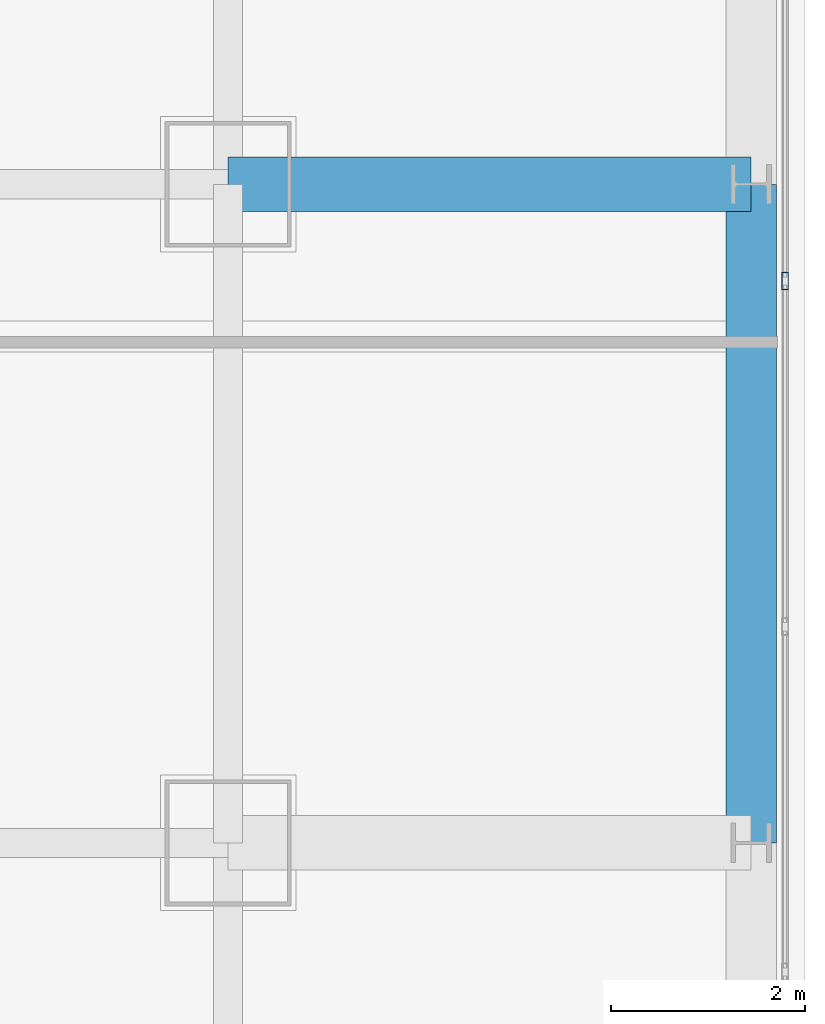
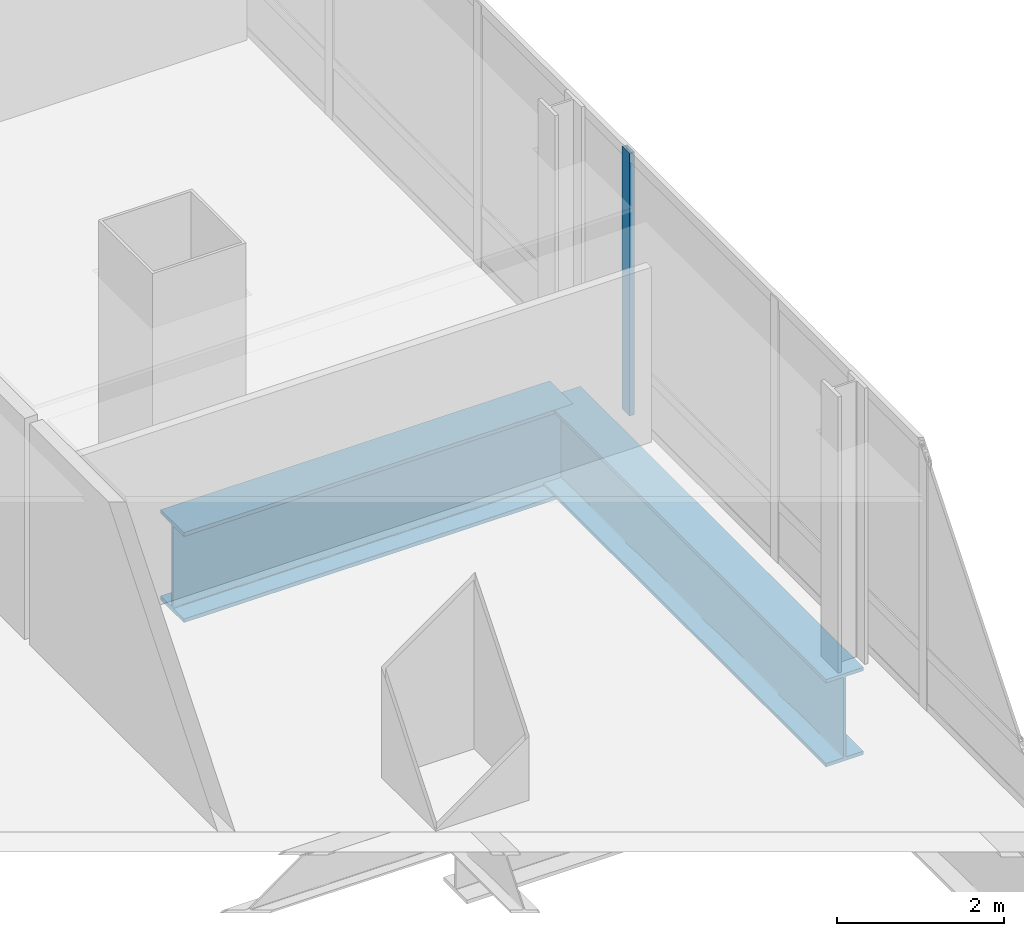
# One storey, part 19 of 40: 2 beams, 1 member, 1 element without a shape of its own.
"""IFC4 building model written with IfcOpenShell, lengths in metres."""

from ifc_helpers import new_model, si_unit, direction, frame, origin, origin_2d, place, context, subcontext, project, spatial, hollow_rectangle, i_section, extrude, material, material_profile, profile_set, type_object, element, aggregate, save


model = new_model("IFC4")

# Units and contexts
model_context = context("Model", 3, precision=1e-05, world=origin(), true_north=direction((0.0, 1.0)))
body_context = subcontext(model_context, "Body", "Model", "MODEL_VIEW")
ifc_project = project(units=[si_unit("LENGTHUNIT", "METRE"), si_unit("AREAUNIT", "SQUARE_METRE"), si_unit("VOLUMEUNIT", "CUBIC_METRE"), si_unit("PLANEANGLEUNIT", "RADIAN"), si_unit("MASSUNIT", "GRAM", prefix="KILO")], contexts=[model_context])

# Site, building, storey
site_placement = place(None, origin())
site = spatial("IfcSite", under=ifc_project, at=site_placement, CompositionType="ELEMENT")
building_placement = place(site_placement, origin())
building = spatial("IfcBuilding", under=site, at=building_placement, Name="Punatoya Terracotta Tower", CompositionType="ELEMENT")
storey_placement = place(building_placement, frame((0.0, 0.0, 271.64990234375)))
storey = spatial("IfcBuildingStorey", under=building, at=storey_placement, Name="L64", CompositionType="ELEMENT", Elevation=271.64990234375)

# Beams
ifc_material_1 = material(Name="Steel S460", Category="steel")
ifc_material_profile_1 = material_profile(ifc_material_1, i_section(OverallWidth=0.56005859375, OverallDepth=1.320068359375, WebThickness=0.035888671875, FlangeThickness=0.054931640625, FilletRadius=0.01806640625, at=origin_2d()))
ifc_profile_set_1 = profile_set([ifc_material_profile_1], Name="Steel S460")
beam_type_1 = type_object("IfcBeamType", Name="BM-TG-BLK", PredefinedType="BEAM", material=ifc_profile_set_1)
beam_1_placement = place(storey_placement, frame((19.10009765625, 3.39990234375, -0.85986328125), z_axis=(1.0, 0.0, 0.0), x_axis=(0.0, 1.0, 0.0)))
element("IfcBeam", 1, at=beam_1_placement, inside=storey, type_object=beam_type_1, Name="BM-L64-CANT-E3", PredefinedType="BEAM", context=body_context, shape_type="SweptSolid", body=[
    extrude(i_section(OverallWidth=0.56005859375, OverallDepth=1.320068359375, WebThickness=0.035888671875, FlangeThickness=0.054931640625, FilletRadius=0.01806640625, at=origin_2d()), origin(), (0.0, 0.0, 1.0), 5.39990234375),
])
ifc_material_profile_2 = material_profile(ifc_material_1, i_section(OverallWidth=0.52001953125, OverallDepth=1.280029296875, WebThickness=0.031982421875, FlangeThickness=0.050048828125, FilletRadius=0.01806640625, at=origin_2d()))
ifc_profile_set_2 = profile_set([ifc_material_profile_2], Name="Steel S460")
beam_type_2 = type_object("IfcBeamType", Name="BM-TG-NCK", PredefinedType="BEAM", material=ifc_profile_set_2)
beam_2_placement = place(storey_placement, frame((24.5, -3.39990234375, -0.83984375), z_axis=(0.0, 1.0, 0.0), x_axis=(-1.0, 0.0, 0.0)))
element("IfcBeam", 2, at=beam_2_placement, inside=storey, type_object=beam_type_2, Name="BM-L64-PER-E2", PredefinedType="BEAM", context=body_context, shape_type="SweptSolid", body=[
    extrude(i_section(OverallWidth=0.52001953125, OverallDepth=1.280029296875, WebThickness=0.031982421875, FlangeThickness=0.050048828125, FilletRadius=0.01806640625, at=origin_2d()), origin(), (0.0, 0.0, 1.0), 6.7998046875),
])

# Curtain wall, member
ifc_material_2 = material(Name="Aluminium 6063-T6 + Double Low-E Glass", Category="aluminium")
curtain_wall_type = type_object("IfcCurtainWallType", Name="CW-M3", PredefinedType="NOTDEFINED", material=ifc_material_2)
curtain_wall_placement = place(storey_placement, origin())
curtain_wall = element("IfcCurtainWall", 3, at=curtain_wall_placement, inside=storey, type_object=curtain_wall_type, Name="L64 Curtain Wall CW-L64-E05-1", PredefinedType="NOTDEFINED")
ifc_material_3 = material(Name="Aluminium 6063-T6", Category="aluminium")
ifc_material_profile_3 = material_profile(ifc_material_3, hollow_rectangle(XDim=0.070068359375, YDim=0.179931640625, WallThickness=0.00390625, at=origin_2d()))
ifc_profile_set_3 = profile_set([ifc_material_profile_3], Name="Aluminium 6063-T6")
member_type = type_object("IfcMemberType", Name="CW-MUL-M3", PredefinedType="MULLION", material=ifc_profile_set_3)
member_placement = place(storey_placement, frame((24.85009765625, 2.39990234375, 0.0), z_axis=(0.0, 0.0, 1.0), x_axis=(1.0, 0.0, 0.0)))
member = element("IfcMember", 4, at=member_placement, type_object=member_type, Name="CW-L64-E05-1 Mullion 05", PredefinedType="MULLION", context=body_context, shape_type="SweptSolid", body=[
    extrude(hollow_rectangle(XDim=0.070068359375, YDim=0.179931640625, WallThickness=0.00390625, at=origin_2d()), origin(), (0.0, 0.0, 1.0), 3.85009765625),
])
aggregate(curtain_wall, [member])

save(model, "model.ifc")
